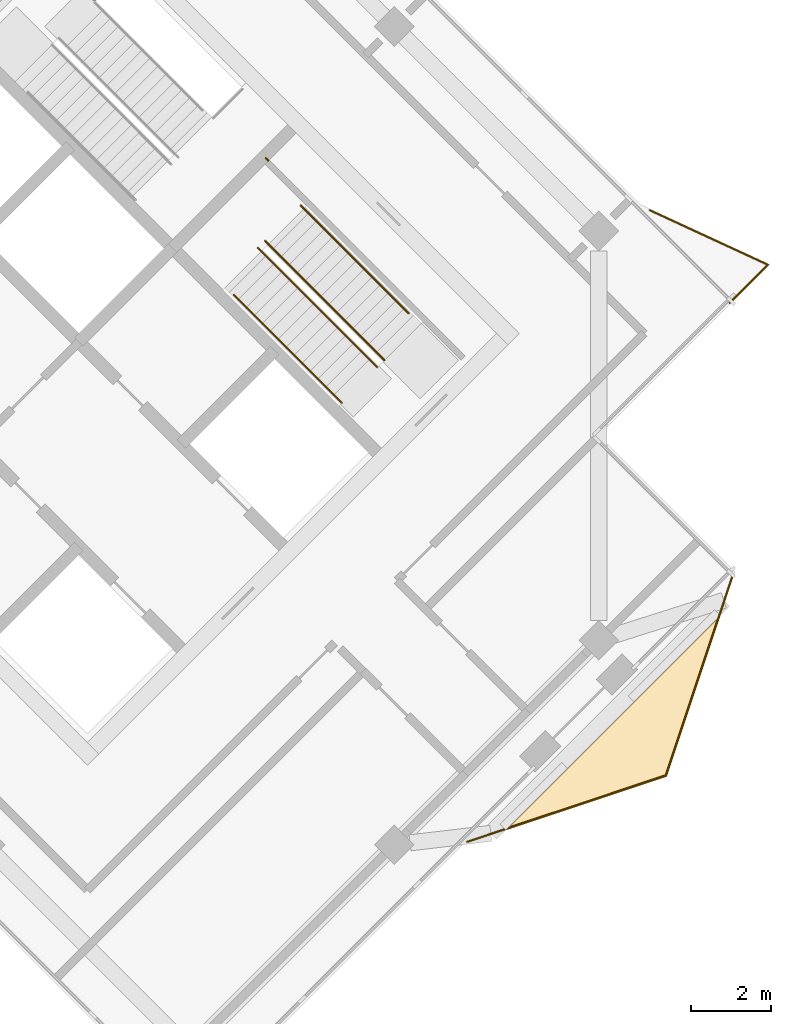
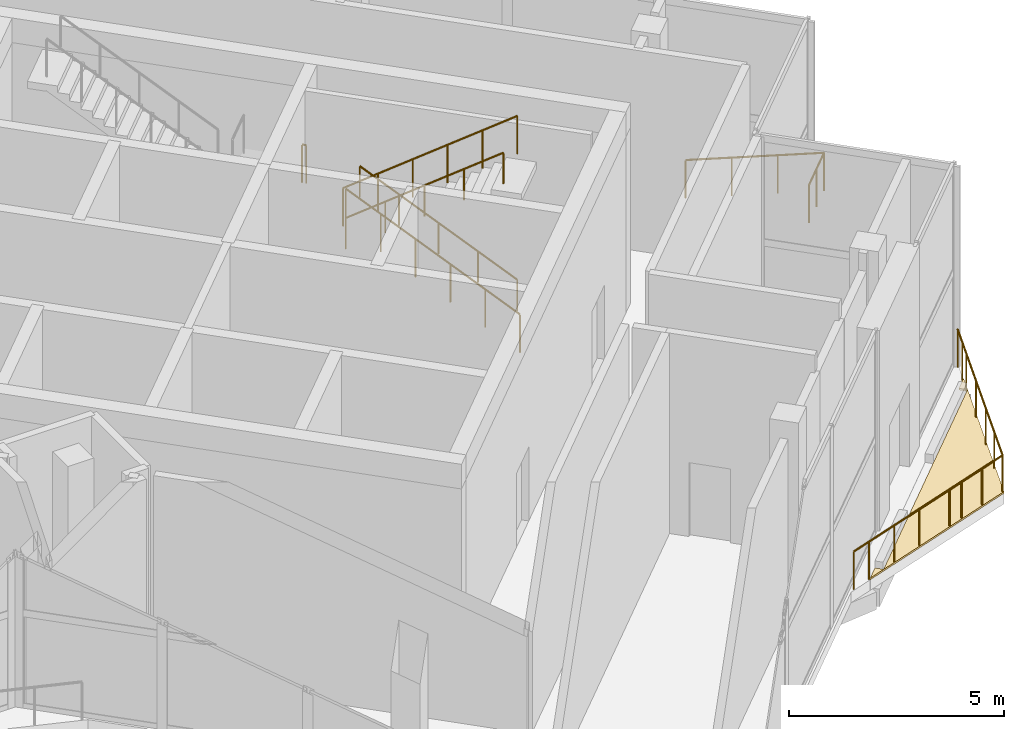
# One storey, part 19 of 19: 7 railings, 1 covering.
"""IFC4 building model written with IfcOpenShell, lengths in metres."""

from ifc_helpers import new_model, si_unit, direction, frame, origin, origin_2d, place, context, subcontext, project, spatial, polyline, circle, outline, extrude, material, layer, layer_set, type_object, element, save


model = new_model("IFC4")

# Units and contexts
model_context = context("Model", 3, precision=1e-05, world=origin(), true_north=direction((0.0, 1.0)))
body_context = subcontext(model_context, "Body", "Model", "MODEL_VIEW")
ifc_project = project(units=[si_unit("LENGTHUNIT", "METRE"), si_unit("AREAUNIT", "SQUARE_METRE"), si_unit("VOLUMEUNIT", "CUBIC_METRE"), si_unit("PLANEANGLEUNIT", "RADIAN"), si_unit("MASSUNIT", "GRAM", prefix="KILO")], contexts=[model_context])

# Site, building, storey
site_placement = place(None, origin())
site = spatial("IfcSite", under=ifc_project, at=site_placement, CompositionType="ELEMENT")
building_placement = place(site_placement, origin())
building = spatial("IfcBuilding", under=site, at=building_placement, Name="Windrow Commons", CompositionType="ELEMENT")
storey_placement = place(building_placement, frame((0.0, 0.0, 284.6)))
storey = spatial("IfcBuildingStorey", under=building, at=storey_placement, Name="L78", CompositionType="ELEMENT", Elevation=284.6)

# Railings
ifc_material_1 = material(Name="Steel S355", Category="steel")
railing_type_1 = type_object("IfcRailingType", Name="Core stair guard 1100", PredefinedType="GUARDRAIL", material=ifc_material_1)
railing_1_placement = place(storey_placement, frame((94.2296, 48.4215, 0.1875)))
element("IfcRailing", 1, at=railing_1_placement, inside=storey, type_object=railing_type_1, Name="L78 ST-B2 stair guard 1", PredefinedType="GUARDRAIL", context=body_context, shape_type="SweptSolid", body=[
    extrude(circle(Radius=0.024, at=origin_2d()), frame((0.0, 0.0, 1.076), z_axis=(-0.5875432548, 0.5875432548, 0.5564043921), x_axis=(-0.7071067812, -0.7071067812, 0.0)), (0.0, 0.0, 1.0), 5.0548),
    extrude(circle(Radius=0.021, at=origin_2d()), origin(), (0.0, 0.0, 1.0), 1.052),
    extrude(circle(Radius=0.021, at=origin_2d()), frame((-0.594, 0.594, 0.5625)), (0.0, 0.0, 1.0), 1.052),
    extrude(circle(Radius=0.021, at=origin_2d()), frame((-1.188, 1.188, 1.125)), (0.0, 0.0, 1.0), 1.052),
    extrude(circle(Radius=0.021, at=origin_2d()), frame((-1.7819, 1.7819, 1.6875)), (0.0, 0.0, 1.0), 1.052),
    extrude(circle(Radius=0.021, at=origin_2d()), frame((-2.3759, 2.3759, 2.25)), (0.0, 0.0, 1.0), 1.052),
    extrude(circle(Radius=0.021, at=origin_2d()), frame((-2.9699, 2.9699, 2.8125)), (0.0, 0.0, 1.0), 1.052),
])
railing_2_placement = place(storey_placement, frame((91.0829, 51.2146, 3.1875)))
element("IfcRailing", 2, at=railing_2_placement, inside=storey, type_object=railing_type_1, Name="L78 ST-B2 stair guard 2", PredefinedType="GUARDRAIL", context=body_context, shape_type="SweptSolid", body=[
    extrude(circle(Radius=0.024, at=origin_2d()), frame((0.0, 0.0, 1.076), z_axis=(0.5875432548, -0.5875432548, 0.5564043921), x_axis=(0.7071067812, 0.7071067812, 0.0)), (0.0, 0.0, 1.0), 5.0548),
    extrude(circle(Radius=0.021, at=origin_2d()), origin(), (0.0, 0.0, 1.0), 1.052),
    extrude(circle(Radius=0.021, at=origin_2d()), frame((0.594, -0.594, 0.5625)), (0.0, 0.0, 1.0), 1.052),
    extrude(circle(Radius=0.021, at=origin_2d()), frame((1.188, -1.188, 1.125)), (0.0, 0.0, 1.0), 1.052),
    extrude(circle(Radius=0.021, at=origin_2d()), frame((1.7819, -1.7819, 1.6875)), (0.0, 0.0, 1.0), 1.052),
    extrude(circle(Radius=0.021, at=origin_2d()), frame((2.3759, -2.3759, 2.25)), (0.0, 0.0, 1.0), 1.052),
    extrude(circle(Radius=0.021, at=origin_2d()), frame((2.9699, -2.9699, 2.8125)), (0.0, 0.0, 1.0), 1.052),
])
railing_3_placement = place(storey_placement, frame((91.3446, 53.3854, 3.0)))
element("IfcRailing", 3, at=railing_3_placement, inside=storey, type_object=railing_type_1, Name="L78 ST-B2 stair guard 3", PredefinedType="GUARDRAIL", context=body_context, shape_type="SweptSolid", body=[
    extrude(circle(Radius=0.024, at=origin_2d()), frame((0.0, 0.0, 1.076), z_axis=(-0.7076063266, 0.7066068826, 0.0), x_axis=(-0.7066068826, -0.7076063266, 0.0)), (0.0, 0.0, 1.0), 0.1001),
    extrude(circle(Radius=0.021, at=origin_2d()), origin(), (0.0, 0.0, 1.0), 1.052),
    extrude(circle(Radius=0.021, at=origin_2d()), frame((-0.0708, 0.0707, 0.0)), (0.0, 0.0, 1.0), 1.052),
])
ifc_material_2 = material(Name="Steel S355", Category="steel")
railing_type_2 = type_object("IfcRailingType", Name="Core stair handrail 900", PredefinedType="HANDRAIL", material=ifc_material_2)
railing_4_placement = place(storey_placement, frame((94.8306, 49.5883, 0.4554)))
element("IfcRailing", 4, at=railing_4_placement, inside=storey, type_object=railing_type_2, Name="L78 ST-B2 stair handrail 1", PredefinedType="HANDRAIL", context=body_context, shape_type="SweptSolid", body=[
    extrude(circle(Radius=0.024, at=origin_2d()), frame((0.0, 0.0, 0.876), z_axis=(-0.5875427724, 0.5875427724, 0.5564054108), x_axis=(-0.7071067812, -0.7071067812, 0.0)), (0.0, 0.0, 1.0), 4.5733),
    extrude(circle(Radius=0.021, at=origin_2d()), origin(), (0.0, 0.0, 1.0), 0.852),
    extrude(circle(Radius=0.021, at=origin_2d()), frame((-0.6717, 0.6718, 0.6362)), (0.0, 0.0, 1.0), 0.852),
    extrude(circle(Radius=0.021, at=origin_2d()), frame((-1.3435, 1.3435, 1.2723)), (0.0, 0.0, 1.0), 0.852),
    extrude(circle(Radius=0.021, at=origin_2d()), frame((-2.0152, 2.0153, 1.9085)), (0.0, 0.0, 1.0), 0.852),
    extrude(circle(Radius=0.021, at=origin_2d()), frame((-2.687, 2.687, 2.5446)), (0.0, 0.0, 1.0), 0.852),
])
railing_5_placement = place(storey_placement, frame((90.4819, 50.0479, 3.4554)))
element("IfcRailing", 5, at=railing_5_placement, inside=storey, type_object=railing_type_2, Name="L78 ST-B2 stair handrail 2", PredefinedType="HANDRAIL", context=body_context, shape_type="SweptSolid", body=[
    extrude(circle(Radius=0.024, at=origin_2d()), frame((0.0, 0.0, 0.876), z_axis=(0.5875427724, -0.5875427724, 0.5564054108), x_axis=(0.7071067812, 0.7071067812, 0.0)), (0.0, 0.0, 1.0), 4.5733),
    extrude(circle(Radius=0.021, at=origin_2d()), origin(), (0.0, 0.0, 1.0), 0.852),
    extrude(circle(Radius=0.021, at=origin_2d()), frame((0.6717, -0.6717, 0.6362)), (0.0, 0.0, 1.0), 0.852),
    extrude(circle(Radius=0.021, at=origin_2d()), frame((1.3435, -1.3435, 1.2723)), (0.0, 0.0, 1.0), 0.852),
    extrude(circle(Radius=0.021, at=origin_2d()), frame((2.0152, -2.0152, 1.9085)), (0.0, 0.0, 1.0), 0.852),
    extrude(circle(Radius=0.021, at=origin_2d()), frame((2.687, -2.687, 2.5446)), (0.0, 0.0, 1.0), 0.852),
])
ifc_material_3 = material(Name="Stainless steel S316 balustrade with toughened glass infill", Category="steel")
railing_type_3 = type_object("IfcRailingType", Name="Terrace guard 1100", PredefinedType="BALUSTRADE", material=ifc_material_3)
railing_6_placement = place(storey_placement, frame((102.8891, 43.0358, 0.0)))
element("IfcRailing", 6, at=railing_6_placement, inside=storey, type_object=railing_type_3, Name="Edge guard L78 8", PredefinedType="BALUSTRADE", context=body_context, shape_type="SweptSolid", body=[
    extrude(circle(Radius=0.025, at=origin_2d()), frame((0.0, 0.0, 1.075), z_axis=(-0.3161152673, -0.9487207902, 0.0), x_axis=(0.9487207902, -0.3161152673, 0.0)), (0.0, 0.0, 1.0), 0.5333),
    extrude(circle(Radius=0.025, at=origin_2d()), frame((-0.1686, -0.506, 1.075), z_axis=(-1.0, 0.0, 0.0), x_axis=(0.0, -1.0, 0.0)), (0.0, 0.0, 1.0), 0.0001),
    extrude(circle(Radius=0.025, at=origin_2d()), frame((-0.1687, -0.506, 1.075), z_axis=(-0.3161641934, -0.9487044866, 0.0), x_axis=(0.9487044866, -0.3161641934, 0.0)), (0.0, 0.0, 1.0), 0.4719),
    extrude(circle(Radius=0.025, at=origin_2d()), frame((-0.3179, -0.9537, 1.075), z_axis=(-0.9701425001, 0.242535625, 0.0), x_axis=(-0.242535625, -0.9701425001, 0.0)), (0.0, 0.0, 1.0), 0.0004),
    extrude(circle(Radius=0.025, at=origin_2d()), frame((-0.3183, -0.9536, 1.075), z_axis=(-0.3162541865, -0.9486744908, 0.0), x_axis=(0.9486744908, -0.3162541865, 0.0)), (0.0, 0.0, 1.0), 2.271),
    extrude(circle(Radius=0.025, at=origin_2d()), frame((-1.0365, -3.108, 1.075), z_axis=(-0.3161969124, -0.948693582, 0.0), x_axis=(0.948693582, -0.3161969124, 0.0)), (0.0, 0.0, 1.0), 1.9447),
    extrude(circle(Radius=0.025, at=origin_2d()), frame((-1.6514, -4.9529, 1.075), z_axis=(-0.9486763565, -0.31624859, 0.0), x_axis=(0.31624859, -0.9486763565, 0.0)), (0.0, 0.0, 1.0), 1.4406),
    extrude(circle(Radius=0.025, at=origin_2d()), frame((-3.0181, -5.4085, 1.075), z_axis=(0.316227766, -0.948683298, 0.0), x_axis=(0.948683298, 0.316227766, 0.0)), (0.0, 0.0, 1.0), 0.0003),
    extrude(circle(Radius=0.025, at=origin_2d()), frame((-3.018, -5.4088, 1.075), z_axis=(-0.9486832981, -0.316227766, 0.0), x_axis=(0.316227766, -0.9486832981, 0.0)), (0.0, 0.0, 1.0), 0.4225),
    extrude(circle(Radius=0.025, at=origin_2d()), frame((-3.4188, -5.5424, 1.075), z_axis=(-0.9486645314, -0.3162840605, 0.0), x_axis=(0.3162840605, -0.9486645314, 0.0)), (0.0, 0.0, 1.0), 1.0658),
    extrude(circle(Radius=0.025, at=origin_2d()), frame((-4.4299, -5.8795, 1.075), z_axis=(-0.4472135955, 0.894427191, 0.0), x_axis=(-0.894427191, -0.4472135955, 0.0)), (0.0, 0.0, 1.0), 0.0004),
    extrude(circle(Radius=0.025, at=origin_2d()), frame((-4.4301, -5.8791, 1.075), z_axis=(-0.9486662313, -0.3162789618, 0.0), x_axis=(0.3162789618, -0.9486662313, 0.0)), (0.0, 0.0, 1.0), 1.7579),
    extrude(circle(Radius=0.025, at=origin_2d()), frame((-6.0978, -6.4351, 1.075), z_axis=(-0.7071067812, -0.7071067812, 0.0), x_axis=(0.7071067812, -0.7071067812, 0.0)), (0.0, 0.0, 1.0), 0.0008),
    extrude(circle(Radius=0.025, at=origin_2d()), frame((-6.0984, -6.4357, 1.075), z_axis=(-0.9487207902, -0.3161152673, 0.0), x_axis=(0.3161152673, -0.9487207902, 0.0)), (0.0, 0.0, 1.0), 0.5333),
    extrude(circle(Radius=0.02, at=origin_2d()), origin(), (0.0, 0.0, 1.0), 1.05),
    extrude(circle(Radius=0.02, at=origin_2d()), frame((-0.1686, -0.506, 0.0)), (0.0, 0.0, 1.0), 1.05),
    extrude(circle(Radius=0.02, at=origin_2d()), frame((-0.1687, -0.506, 0.0)), (0.0, 0.0, 1.0), 1.05),
    extrude(circle(Radius=0.02, at=origin_2d()), frame((-0.3179, -0.9537, 0.0)), (0.0, 0.0, 1.0), 1.05),
    extrude(circle(Radius=0.02, at=origin_2d()), frame((-0.3183, -0.9536, 0.0)), (0.0, 0.0, 1.0), 1.05),
    extrude(circle(Radius=0.02, at=origin_2d()), frame((-0.6774, -2.0308, 0.0)), (0.0, 0.0, 1.0), 1.05),
    extrude(circle(Radius=0.02, at=origin_2d()), frame((-1.0365, -3.108, 0.0)), (0.0, 0.0, 1.0), 1.05),
    extrude(circle(Radius=0.02, at=origin_2d()), frame((-1.3439, -4.0305, 0.0)), (0.0, 0.0, 1.0), 1.05),
    extrude(circle(Radius=0.02, at=origin_2d()), frame((-1.6514, -4.9529, 0.0)), (0.0, 0.0, 1.0), 1.05),
    extrude(circle(Radius=0.02, at=origin_2d()), frame((-2.3347, -5.1807, 0.0)), (0.0, 0.0, 1.0), 1.05),
    extrude(circle(Radius=0.02, at=origin_2d()), frame((-3.0181, -5.4085, 0.0)), (0.0, 0.0, 1.0), 1.05),
    extrude(circle(Radius=0.02, at=origin_2d()), frame((-3.018, -5.4088, 0.0)), (0.0, 0.0, 1.0), 1.05),
    extrude(circle(Radius=0.02, at=origin_2d()), frame((-3.4188, -5.5424, 0.0)), (0.0, 0.0, 1.0), 1.05),
    extrude(circle(Radius=0.02, at=origin_2d()), frame((-4.4299, -5.8795, 0.0)), (0.0, 0.0, 1.0), 1.05),
    extrude(circle(Radius=0.02, at=origin_2d()), frame((-4.4301, -5.8791, 0.0)), (0.0, 0.0, 1.0), 1.05),
    extrude(circle(Radius=0.02, at=origin_2d()), frame((-5.2639, -6.1571, 0.0)), (0.0, 0.0, 1.0), 1.05),
    extrude(circle(Radius=0.02, at=origin_2d()), frame((-6.0978, -6.4351, 0.0)), (0.0, 0.0, 1.0), 1.05),
    extrude(circle(Radius=0.02, at=origin_2d()), frame((-6.0984, -6.4357, 0.0)), (0.0, 0.0, 1.0), 1.05),
    extrude(circle(Radius=0.02, at=origin_2d()), frame((-6.6044, -6.6043, 0.0)), (0.0, 0.0, 1.0), 1.05),
])
railing_7_placement = place(storey_placement, frame((100.834, 52.158, 0.0)))
element("IfcRailing", 7, at=railing_7_placement, inside=storey, type_object=railing_type_3, Name="Edge guard L78 9", PredefinedType="BALUSTRADE", context=body_context, shape_type="SweptSolid", body=[
    extrude(circle(Radius=0.025, at=origin_2d()), frame((0.0, 0.0, 1.075), z_axis=(0.9078492004, -0.4192968273, 0.0), x_axis=(0.4192968273, 0.9078492004, 0.0)), (0.0, 0.0, 1.0), 3.2416),
    extrude(circle(Radius=0.025, at=origin_2d()), frame((2.9429, -1.3592, 1.075), z_axis=(-0.7071439006, -0.7070696598, 0.0), x_axis=(0.7070696598, -0.7071439006, 0.0)), (0.0, 0.0, 1.0), 1.347),
    extrude(circle(Radius=0.02, at=origin_2d()), origin(), (0.0, 0.0, 1.0), 1.05),
    extrude(circle(Radius=0.02, at=origin_2d()), frame((0.981, -0.4531, 0.0)), (0.0, 0.0, 1.0), 1.05),
    extrude(circle(Radius=0.02, at=origin_2d()), frame((1.9619, -0.9061, 0.0)), (0.0, 0.0, 1.0), 1.05),
    extrude(circle(Radius=0.02, at=origin_2d()), frame((2.9429, -1.3592, 0.0)), (0.0, 0.0, 1.0), 1.05),
    extrude(circle(Radius=0.02, at=origin_2d()), frame((2.4666, -1.8354, 0.0)), (0.0, 0.0, 1.0), 1.05),
    extrude(circle(Radius=0.02, at=origin_2d()), frame((1.9904, -2.3116, 0.0)), (0.0, 0.0, 1.0), 1.05),
])

# Covering
ifc_material_4 = material(Name="Granite pavers on waterproofing membrane", Category="masonry")
ifc_layer = layer(ifc_material_4, 0.05)
ifc_layer_set = layer_set([ifc_layer], Name="Terrace roofing 50")
covering_type = type_object("IfcCoveringType", Name="Terrace roofing 50", PredefinedType="ROOFING", material=ifc_layer_set)
covering_placement = place(storey_placement, origin())
element("IfcCovering", 8, at=covering_placement, inside=storey, type_object=covering_type, Name="Terrace roofing TR-L78-5", PredefinedType="ROOFING", context=body_context, shape_type="SweptSolid", body=[
    extrude(outline(polyline([(102.7467, 42.5136), (101.8815, 39.9182), (101.2617, 38.0588), (99.4798, 37.4649), (96.8069, 36.5739), (97.1065, 36.8734), (97.255, 36.7249), (102.5957, 42.0655), (102.4471, 42.2141), (102.7467, 42.5136)])), origin(), (0.0, 0.0, 1.0), 0.05),
])

save(model, "model.ifc")
